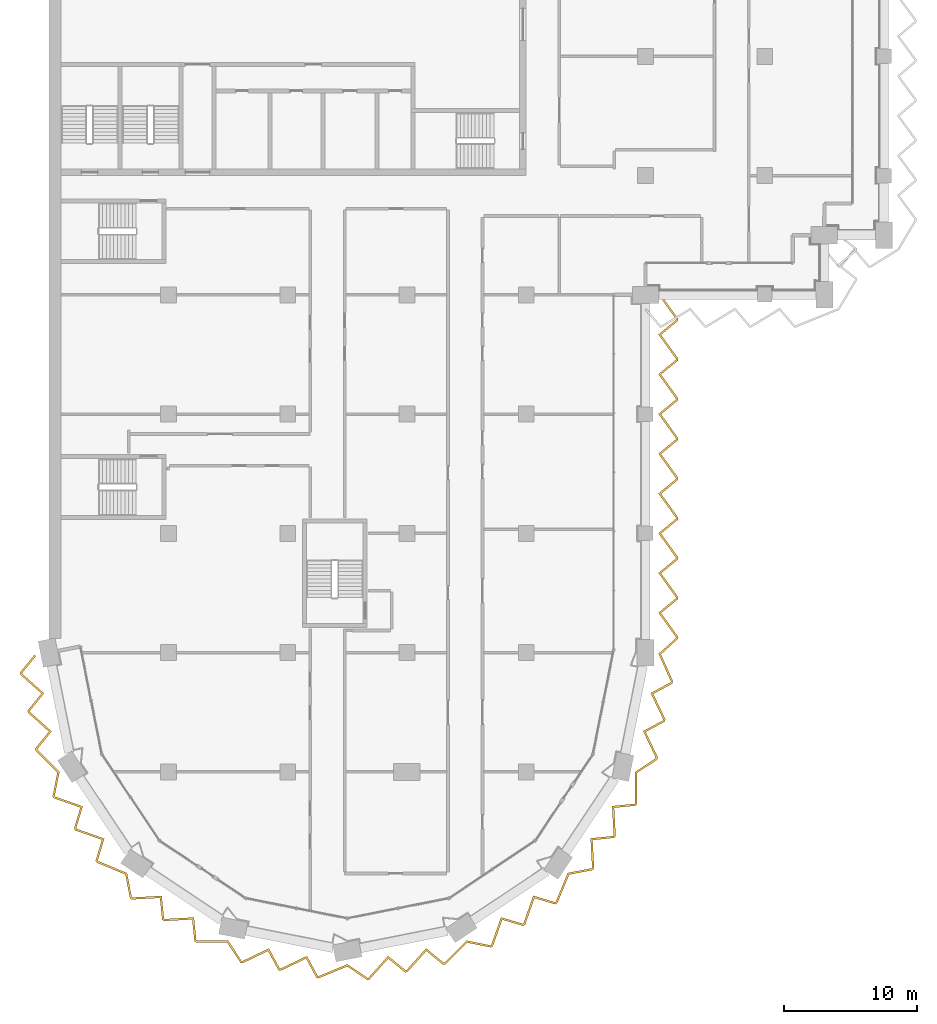
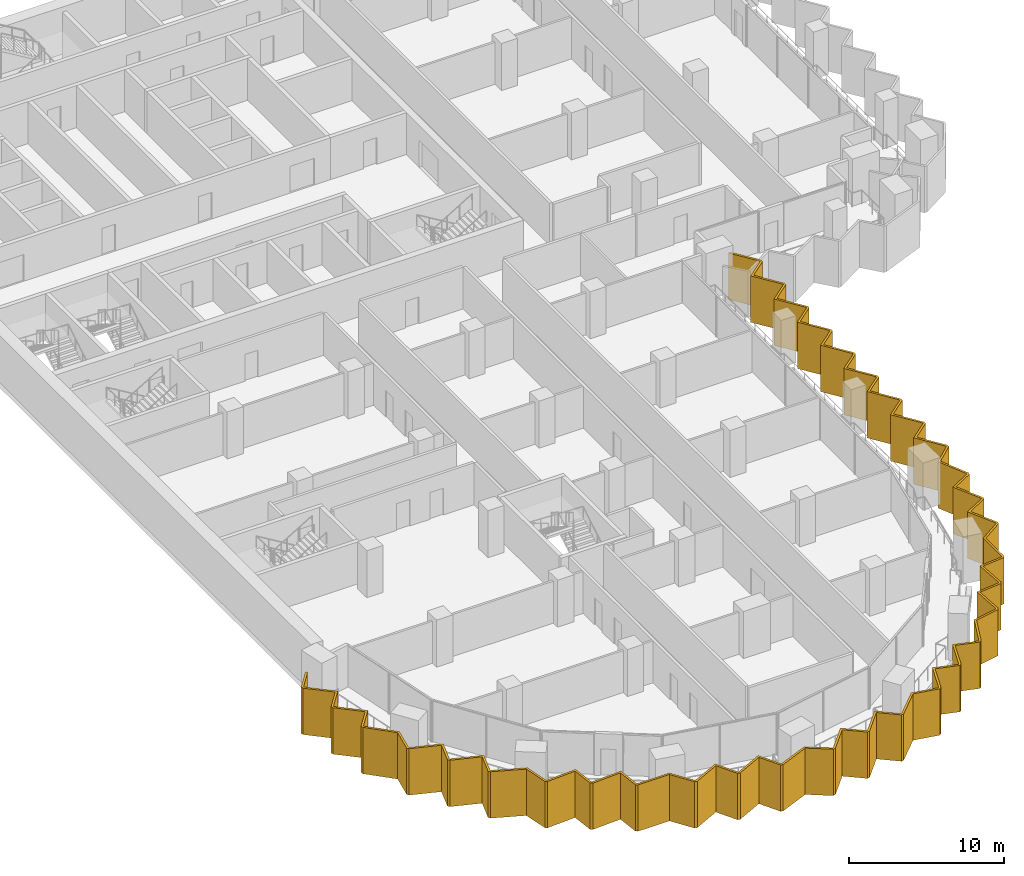
# One storey, part 19 of 23: 1 shading device.
"""IFC4 building model written with IfcOpenShell, lengths in metres."""

from ifc_helpers import new_model, si_unit, direction, frame, origin, place, context, subcontext, project, spatial, polyline, outline, extrude, material, layer, layer_set, type_object, element, save


model = new_model("IFC4")

# Units and contexts
model_context = context("Model", 3, precision=1e-05, world=origin(), true_north=direction((0.0, 1.0)))
body_context = subcontext(model_context, "Body", "Model", "MODEL_VIEW")
ifc_project = project(units=[si_unit("LENGTHUNIT", "METRE"), si_unit("AREAUNIT", "SQUARE_METRE"), si_unit("VOLUMEUNIT", "CUBIC_METRE"), si_unit("PLANEANGLEUNIT", "RADIAN"), si_unit("MASSUNIT", "GRAM", prefix="KILO")], contexts=[model_context])

# Site, building, storey
site_placement = place(None, origin())
site = spatial("IfcSite", under=ifc_project, at=site_placement, CompositionType="ELEMENT")
building_placement = place(site_placement, origin())
building = spatial("IfcBuilding", under=site, at=building_placement, Name="Hunhe Ridgeline Campus", CompositionType="ELEMENT")
storey_placement = place(building_placement, frame((0.0, 0.0, 152.300048828125)))
storey = spatial("IfcBuildingStorey", under=building, at=storey_placement, Name="L38", CompositionType="ELEMENT", Elevation=152.300048828125)

# Shading device
ifc_material = material(Name="Concrete C50", Category="concrete")
ifc_layer = layer(ifc_material, 0.14990234375)
ifc_layer_set = layer_set([ifc_layer], Name="Sawtooth concrete fin 150 Concrete C50")
shading_device_type = type_object("IfcShadingDeviceType", Name="Sawtooth concrete fin 150 Concrete C50", PredefinedType="USERDEFINED", material=ifc_layer_set)
shading_device_placement = place(storey_placement, frame((0.0, 0.0, -0.949951171875)))
element("IfcShadingDevice", 1, at=shading_device_placement, inside=storey, type_object=shading_device_type, Name="Concrete fin screen 1", ObjectType="FIN", PredefinedType="USERDEFINED", context=body_context, shape_type="SweptSolid", body=[
    extrude(outline(polyline([(-0.996337890625, 26.742919921875), (-1.112548828125, 26.837646484375), (-2.20068359375, 25.504638671875), (-2.165283203125, 25.327880859375), (-0.5869140625, 23.912109375), (-1.629638671875, 22.634521484375), (-1.594482421875, 22.457763671875), (-0.015869140625, 21.0419921875), (-1.058837890625, 19.764404296875), (-1.02392578125, 19.58984375), (0.618408203125, 17.94580078125), (0.254150390625, 16.16259765625), (0.35205078125, 16.01611328125), (2.352294921875, 15.312255859375), (1.877685546875, 13.73291015625), (1.977783203125, 13.5830078125), (3.97802734375, 12.879150390625), (3.50341796875, 11.2998046875), (3.602294921875, 11.151611328125), (5.7490234375, 10.26123046875), (6.0947265625, 8.474365234375), (6.241455078125, 8.37646484375), (8.358642578125, 8.49169921875), (8.524658203125, 6.850830078125), (8.674560546875, 6.750732421875), (10.791748046875, 6.865966796875), (10.957763671875, 5.22509765625), (11.105712890625, 5.126220703125), (13.429931640625, 5.125), (14.432861328125, 3.606689453125), (14.60595703125, 3.572265625), (16.517822265625, 4.48876953125), (17.299072265625, 3.03662109375), (17.47607421875, 3.00146484375), (19.387939453125, 3.91796875), (20.169189453125, 2.465576171875), (20.343994140625, 2.430908203125), (22.491455078125, 3.3193359375), (23.999267578125, 2.30029296875), (24.172119140625, 2.334716796875), (25.587890625, 3.9130859375), (26.865478515625, 2.870361328125), (27.042236328125, 2.905517578125), (28.4580078125, 4.484130859375), (29.735595703125, 3.441162109375), (29.91015625, 3.47607421875), (31.55419921875, 5.118408203125), (33.33740234375, 4.754150390625), (33.48388671875, 4.85205078125), (34.187744140625, 6.852294921875), (35.76708984375, 6.377685546875), (35.9169921875, 6.477783203125), (36.620849609375, 8.47802734375), (38.2001953125, 8.00341796875), (38.348388671875, 8.102294921875), (39.23876953125, 10.2490234375), (41.025634765625, 10.5947265625), (41.12353515625, 10.741455078125), (41.00830078125, 12.858642578125), (42.649169921875, 13.024658203125), (42.749267578125, 13.174560546875), (42.634033203125, 15.291748046875), (44.27490234375, 15.457763671875), (44.373779296875, 15.605712890625), (44.375, 17.929931640625), (45.893310546875, 18.932861328125), (45.927734375, 19.10595703125), (45.01123046875, 21.017822265625), (46.46337890625, 21.799072265625), (46.49853515625, 21.97607421875), (45.58203125, 23.887939453125), (47.034423828125, 24.669189453125), (47.0693359375, 24.844970703125), (46.16552734375, 26.875), (47.449951171875, 28.039306640625), (47.449951171875, 28.216796875), (46.1767578125, 29.98681640625), (47.449951171875, 31.037353515625), (47.449951171875, 31.216796875), (46.1767578125, 32.98681640625), (47.449951171875, 34.037353515625), (47.449951171875, 34.216796875), (46.1767578125, 35.98681640625), (47.449951171875, 37.037353515625), (47.449951171875, 37.216796875), (46.1767578125, 38.98681640625), (47.449951171875, 40.037353515625), (47.449951171875, 40.216796875), (46.1767578125, 41.98681640625), (47.449951171875, 43.037353515625), (47.449951171875, 43.216796875), (46.1767578125, 44.98681640625), (47.449951171875, 46.037353515625), (47.449951171875, 46.216796875), (46.1767578125, 47.98681640625), (47.449951171875, 49.037353515625), (47.449951171875, 49.216796875), (46.1767578125, 50.98681640625), (47.449951171875, 52.037353515625), (47.449951171875, 52.216796875), (46.135986328125, 54.043701171875), (46.01416015625, 53.956298828125), (47.300048828125, 52.16845703125), (47.300048828125, 52.10791015625), (45.97314453125, 51.01318359375), (47.300048828125, 49.16845703125), (47.300048828125, 49.10791015625), (45.97314453125, 48.01318359375), (47.300048828125, 46.16845703125), (47.300048828125, 46.10791015625), (45.97314453125, 45.01318359375), (47.300048828125, 43.16845703125), (47.300048828125, 43.10791015625), (45.97314453125, 42.01318359375), (47.300048828125, 40.16845703125), (47.300048828125, 40.10791015625), (45.97314453125, 39.01318359375), (47.300048828125, 37.16845703125), (47.300048828125, 37.10791015625), (45.97314453125, 36.01318359375), (47.300048828125, 34.16845703125), (47.300048828125, 34.10791015625), (45.97314453125, 33.01318359375), (47.300048828125, 31.16845703125), (47.300048828125, 31.10791015625), (45.97314453125, 30.01318359375), (47.300048828125, 28.16845703125), (47.300048828125, 28.105712890625), (45.984375, 26.913330078125), (46.912841796875, 24.827392578125), (46.901123046875, 24.767822265625), (45.384765625, 23.952392578125), (46.341796875, 21.956298828125), (46.330078125, 21.897705078125), (44.81396484375, 21.082275390625), (45.77099609375, 19.086181640625), (45.758544921875, 19.023681640625), (44.224853515625, 18.010498046875), (44.223876953125, 15.6513671875), (44.189453125, 15.599853515625), (42.4765625, 15.426513671875), (42.5966796875, 13.21630859375), (42.563720703125, 13.166748046875), (40.850830078125, 12.993408203125), (40.970947265625, 10.783203125), (40.935546875, 10.730224609375), (39.131103515625, 10.381103515625), (38.227294921875, 8.201904296875), (38.17578125, 8.16748046875), (36.527099609375, 8.662841796875), (35.792236328125, 6.57470703125), (35.74267578125, 6.541748046875), (34.09375, 7.037109375), (33.359130859375, 4.948974609375), (33.30615234375, 4.91357421875), (31.50537109375, 5.28173828125), (29.83642578125, 3.6142578125), (29.775634765625, 3.60205078125), (28.44189453125, 4.69091796875), (26.964111328125, 3.04296875), (26.905517578125, 3.03125), (25.57177734375, 4.119873046875), (24.09375, 2.471923828125), (24.031494140625, 2.45947265625), (22.508544921875, 3.48876953125), (20.32861328125, 2.5869140625), (20.267822265625, 2.598876953125), (19.452392578125, 4.115234375), (17.456298828125, 3.158203125), (17.397705078125, 3.169921875), (16.582275390625, 4.68603515625), (14.586181640625, 3.72900390625), (14.523681640625, 3.741455078125), (13.510498046875, 5.275146484375), (11.1513671875, 5.276123046875), (11.099853515625, 5.310546875), (10.926513671875, 7.0234375), (8.71630859375, 6.9033203125), (8.666748046875, 6.936279296875), (8.493408203125, 8.649169921875), (6.283203125, 8.529052734375), (6.230224609375, 8.564453125), (5.881103515625, 10.368896484375), (3.701904296875, 11.272705078125), (3.66748046875, 11.32421875), (4.162841796875, 12.972900390625), (2.07470703125, 13.707763671875), (2.041748046875, 13.75732421875), (2.537109375, 15.40625), (0.448974609375, 16.140869140625), (0.41357421875, 16.19384765625), (0.78173828125, 17.99462890625), (-0.8857421875, 19.66357421875), (-0.89794921875, 19.724365234375), (0.19091796875, 21.05810546875), (-1.45703125, 22.535888671875), (-1.46875, 22.594482421875), (-0.380126953125, 23.92822265625), (-2.028076171875, 25.40625), (-2.03955078125, 25.464599609375), (-0.996337890625, 26.742919921875)])), origin(), (0.0, 0.0, 1.0), 3.64990234375),
])

save(model, "model.ifc")
